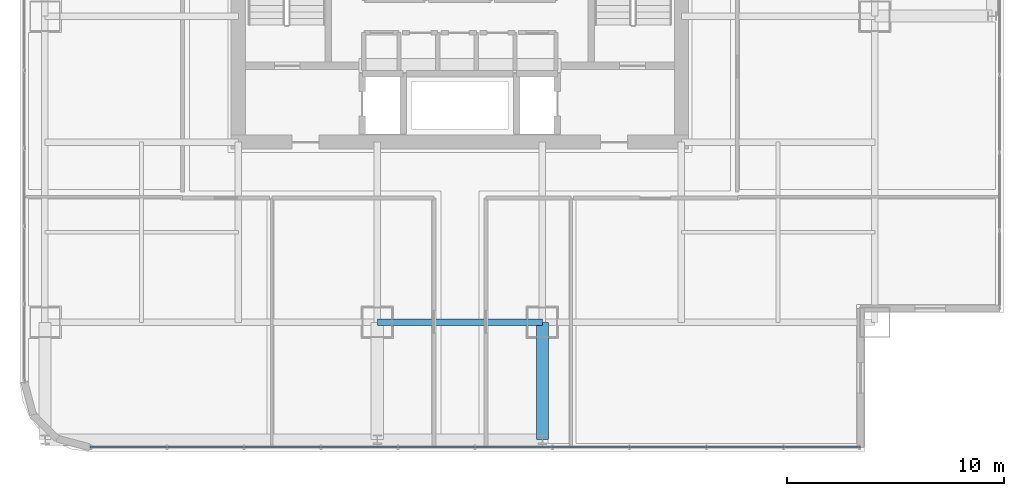
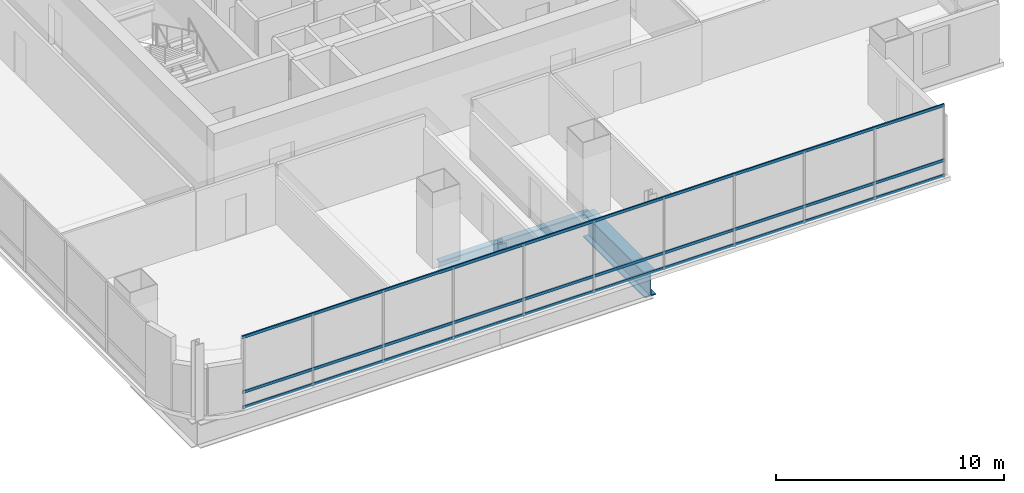
# One storey, part 6 of 36: 3 members, 2 beams, 1 element without a shape of its own.
"""IFC4 building model written with IfcOpenShell, lengths in metres."""

from ifc_helpers import new_model, si_unit, direction, frame, origin, origin_2d, place, context, subcontext, project, spatial, hollow_rectangle, i_section, extrude, material, material_profile, profile_set, type_object, element, aggregate, save


model = new_model("IFC4")

# Units and contexts
model_context = context("Model", 3, precision=1e-05, world=origin(), true_north=direction((0.0, 1.0)))
body_context = subcontext(model_context, "Body", "Model", "MODEL_VIEW")
ifc_project = project(units=[si_unit("LENGTHUNIT", "METRE"), si_unit("AREAUNIT", "SQUARE_METRE"), si_unit("VOLUMEUNIT", "CUBIC_METRE"), si_unit("PLANEANGLEUNIT", "RADIAN"), si_unit("MASSUNIT", "GRAM", prefix="KILO")], contexts=[model_context])

# Site, building, storey
site_placement = place(None, origin())
site = spatial("IfcSite", under=ifc_project, at=site_placement, CompositionType="ELEMENT")
building_placement = place(site_placement, origin())
building = spatial("IfcBuilding", under=site, at=building_placement, Name="Punatoya Terracotta Tower", CompositionType="ELEMENT")
storey_placement = place(building_placement, frame((0.0, 0.0, 228.89990234375)))
storey = spatial("IfcBuildingStorey", under=building, at=storey_placement, Name="L54", CompositionType="ELEMENT", Elevation=228.89990234375)

# Beams
ifc_material_1 = material(Name="Steel S355", Category="steel")
ifc_material_profile_1 = material_profile(ifc_material_1, i_section(OverallWidth=0.300048828125, OverallDepth=0.64990234375, WebThickness=0.01611328125, FlangeThickness=0.031005859375, FilletRadius=0.01806640625, at=origin_2d()))
ifc_profile_set_1 = profile_set([ifc_material_profile_1], Name="Steel S355")
beam_type_1 = type_object("IfcBeamType", Name="BM-PRI-650", PredefinedType="BEAM", material=ifc_profile_set_1)
beam_1_placement = place(storey_placement, frame((-3.800048828125, -17.5, -0.544921875), z_axis=(1.0, 0.0, 0.0), x_axis=(0.0, 1.0, 0.0)))
element("IfcBeam", 1, at=beam_1_placement, inside=storey, type_object=beam_type_1, Name="BM-L54-RG-S2", PredefinedType="BEAM", context=body_context, shape_type="SweptSolid", body=[
    extrude(i_section(OverallWidth=0.300048828125, OverallDepth=0.64990234375, WebThickness=0.01611328125, FlangeThickness=0.031005859375, FilletRadius=0.01806640625, at=origin_2d()), origin(), (0.0, 0.0, 1.0), 7.60009765625),
])
ifc_material_2 = material(Name="Steel S460", Category="steel")
ifc_material_profile_2 = material_profile(ifc_material_2, i_section(OverallWidth=0.56005859375, OverallDepth=1.320068359375, WebThickness=0.035888671875, FlangeThickness=0.054931640625, FilletRadius=0.01806640625, at=origin_2d()))
ifc_profile_set_2 = profile_set([ifc_material_profile_2], Name="Steel S460")
beam_type_2 = type_object("IfcBeamType", Name="BM-TG-BLK", PredefinedType="BEAM", material=ifc_profile_set_2)
beam_2_placement = place(storey_placement, frame((3.800048828125, -22.89990234375, -0.8798828125), z_axis=(0.0, 1.0, 0.0), x_axis=(-1.0, 0.0, 0.0)))
element("IfcBeam", 2, at=beam_2_placement, inside=storey, type_object=beam_type_2, Name="BM-L54-CANT-S3", PredefinedType="BEAM", context=body_context, shape_type="SweptSolid", body=[
    extrude(i_section(OverallWidth=0.56005859375, OverallDepth=1.320068359375, WebThickness=0.035888671875, FlangeThickness=0.054931640625, FilletRadius=0.01806640625, at=origin_2d()), origin(), (0.0, 0.0, 1.0), 5.39990234375),
])

# Curtain wall, members
ifc_material_3 = material(Name="Aluminium 6063-T6 + Double Low-E Glass", Category="aluminium")
curtain_wall_type = type_object("IfcCurtainWallType", Name="CW-M2", PredefinedType="NOTDEFINED", material=ifc_material_3)
curtain_wall_placement = place(storey_placement, origin())
curtain_wall = element("IfcCurtainWall", 3, at=curtain_wall_placement, inside=storey, type_object=curtain_wall_type, Name="L54 Curtain Wall CW-L54-S01-1", PredefinedType="NOTDEFINED")
ifc_material_4 = material(Name="Aluminium 6063-T6", Category="aluminium")
ifc_material_profile_3 = material_profile(ifc_material_4, hollow_rectangle(XDim=0.068115234375, YDim=0.14990234375, WallThickness=0.00390625, at=origin_2d()))
ifc_profile_set_3 = profile_set([ifc_material_profile_3], Name="Aluminium 6063-T6")
member_type = type_object("IfcMemberType", Name="CW-TRN-TYP", PredefinedType="USERDEFINED", material=ifc_profile_set_3)
member_1_placement = place(storey_placement, frame((-17.036865234375, -23.25, 0.0400390625), z_axis=(1.0, 0.0, 0.0), x_axis=(0.0, 1.0, 0.0)))
member_1 = element("IfcMember", 4, at=member_1_placement, type_object=member_type, Name="CW-L54-S01-1 Transom 1", ObjectType="TRANSOM", PredefinedType="USERDEFINED", context=body_context, shape_type="SweptSolid", body=[
    extrude(hollow_rectangle(XDim=0.068115234375, YDim=0.14990234375, WallThickness=0.00390625, at=origin_2d()), origin(), (0.0, 0.0, 1.0), 35.48681640625),
])
member_2_placement = place(storey_placement, frame((-17.036865234375, -23.25, 0.85009765625), z_axis=(1.0, 0.0, 0.0), x_axis=(0.0, 1.0, 0.0)))
member_2 = element("IfcMember", 5, at=member_2_placement, type_object=member_type, Name="CW-L54-S01-1 Transom 2", ObjectType="TRANSOM", PredefinedType="USERDEFINED", context=body_context, shape_type="SweptSolid", body=[
    extrude(hollow_rectangle(XDim=0.068115234375, YDim=0.14990234375, WallThickness=0.00390625, at=origin_2d()), origin(), (0.0, 0.0, 1.0), 35.48681640625),
])
member_3_placement = place(storey_placement, frame((-17.036865234375, -23.25, 3.7900390625), z_axis=(1.0, 0.0, 0.0), x_axis=(0.0, 1.0, 0.0)))
member_3 = element("IfcMember", 6, at=member_3_placement, type_object=member_type, Name="CW-L54-S01-1 Transom 3", ObjectType="TRANSOM", PredefinedType="USERDEFINED", context=body_context, shape_type="SweptSolid", body=[
    extrude(hollow_rectangle(XDim=0.068115234375, YDim=0.14990234375, WallThickness=0.00390625, at=origin_2d()), origin(), (0.0, 0.0, 1.0), 35.48681640625),
])
aggregate(curtain_wall, [member_1, member_2, member_3])

save(model, "model.ifc")
